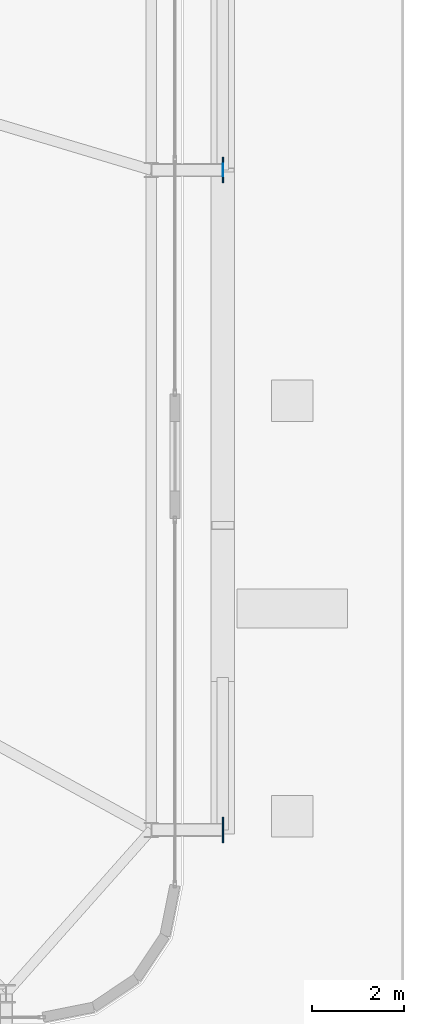
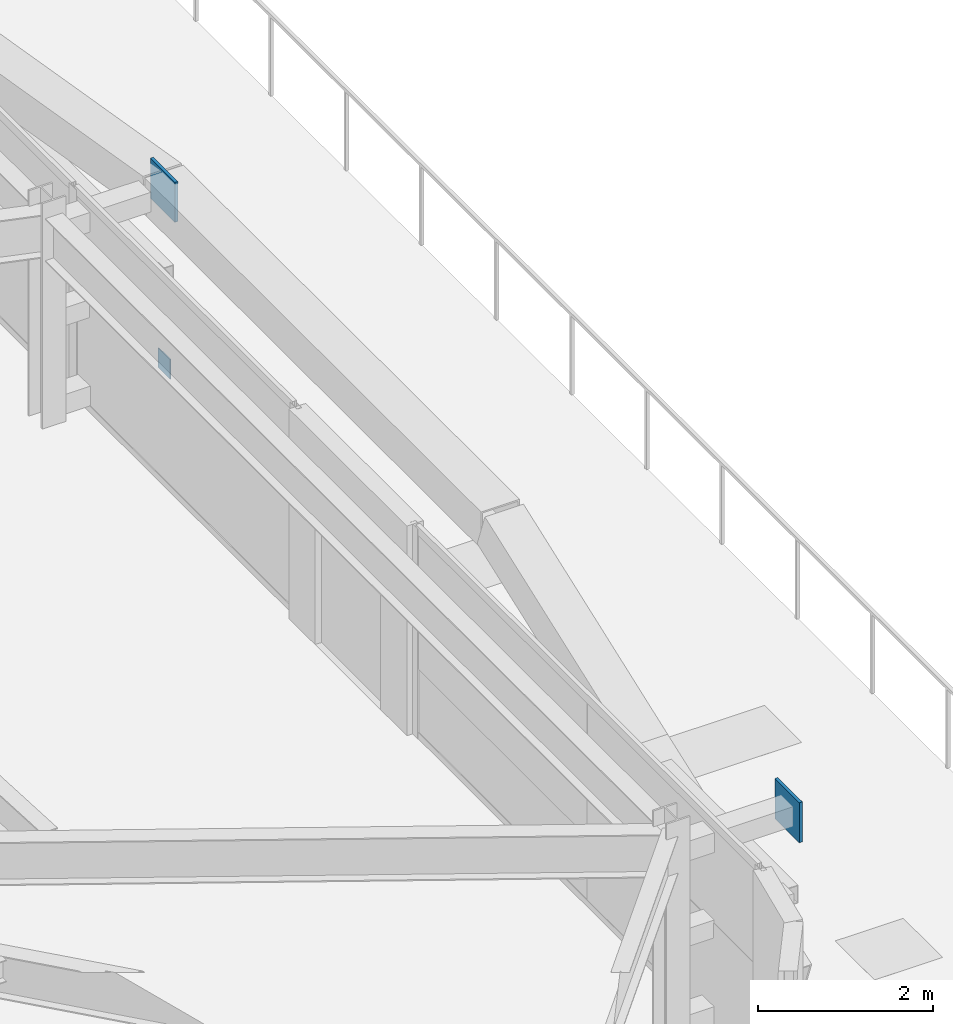
# One storey, part 48 of 56: 3 plates.
"""IFC4 building model written with IfcOpenShell, lengths in metres."""

from ifc_helpers import new_model, si_unit, direction, frame, origin, origin_2d, place, context, subcontext, project, spatial, rectangle, extrude, source, transform, mapped, material, layer, layer_set, type_object, element, save


model = new_model("IFC4")

# Units and contexts
model_context = context("Model", 3, precision=1e-05, world=origin(), true_north=direction((0.0, 1.0)))
body_context = subcontext(model_context, "Body", "Model", "MODEL_VIEW")
ifc_project = project(units=[si_unit("LENGTHUNIT", "METRE"), si_unit("AREAUNIT", "SQUARE_METRE"), si_unit("VOLUMEUNIT", "CUBIC_METRE"), si_unit("PLANEANGLEUNIT", "RADIAN"), si_unit("MASSUNIT", "GRAM", prefix="KILO")], contexts=[model_context])

# Site, building, storey
site_placement = place(None, origin())
site = spatial("IfcSite", under=ifc_project, at=site_placement, CompositionType="ELEMENT")
building_placement = place(site_placement, origin())
building = spatial("IfcBuilding", under=site, at=building_placement, Name="Taldren Reach Tower", CompositionType="ELEMENT")
storey_placement = place(building_placement, frame((0.0, 0.0, 16.800048828125)))
storey = spatial("IfcBuildingStorey", under=building, at=storey_placement, Name="L04", CompositionType="ELEMENT", Elevation=16.800048828125)

# Plates
ifc_material = material(Name="Steel Gr 450 (C450L0)", Category="steel")
ifc_layer_1 = layer(ifc_material, 0.0400390625)
ifc_layer_set_1 = layer_set([ifc_layer_1], Name="Steel Gr 450 (C450L0)")
plate_type_1 = type_object("IfcPlateType", Name="PL-GUSSET-40", PredefinedType="SHEET", material=ifc_layer_set_1)
shared_shape_1 = source(origin(), body_context, "Body", "SweptSolid", [
    extrude(rectangle(XDim=0.56005859375, YDim=0.0400390625, at=origin_2d()), origin(), (0.0, 0.0, 1.0), 0.56005859375),
])
for number, where, z_axis, x_axis, name in (
    (1, (65.89990234375, 5.699951171875, 2.369873046875), (0.0, 0.0, 1.0), (0.0, 1.0, 0.0), "Exoskeleton star-node gusset plate B1-E1 L04"),
    (2, (65.89990234375, 20.0, 2.369873046875), (0.0, 0.0, 1.0), (0.0, 1.0, 0.0), "Exoskeleton star-node gusset plate B1-E2 L04"),
):
    element("IfcPlate", number, at=place(storey_placement, frame(where, z_axis=z_axis, x_axis=x_axis)), inside=storey, type_object=plate_type_1, Name=name, PredefinedType="SHEET", context=body_context, shape_type="MappedRepresentation", body=[
        mapped(shared_shape_1, transform((0.0, 0.0, 0.0), scale=1.0)),
    ])
ifc_layer_2 = layer(ifc_material, 0.011962890625)
ifc_layer_set_2 = layer_set([ifc_layer_2], Name="Steel Gr 450 (C450L0)")
plate_type_2 = type_object("IfcPlateType", Name="PL-CAP-275", PredefinedType="SHEET", material=ifc_layer_set_2)
shared_shape_2 = source(origin(), body_context, "Body", "SweptSolid", [
    extrude(rectangle(XDim=0.011962890625, YDim=0.27490234375, at=origin_2d()), origin(), (0.0, 0.0, 1.0), 0.27490234375),
])
plate_placement = place(storey_placement, frame((65.906005859375, 20.0, 0.08251953125), z_axis=(0.0, 0.0, 1.0), x_axis=(1.0, 0.0, 0.0)))
element("IfcPlate", 3, at=plate_placement, inside=storey, type_object=plate_type_2, Name="Tie strut end cap plate B1-E2 L04", PredefinedType="SHEET", context=body_context, shape_type="MappedRepresentation", body=[
    mapped(shared_shape_2, transform((0.0, 0.0, 0.0), scale=1.0)),
])

save(model, "model.ifc")
